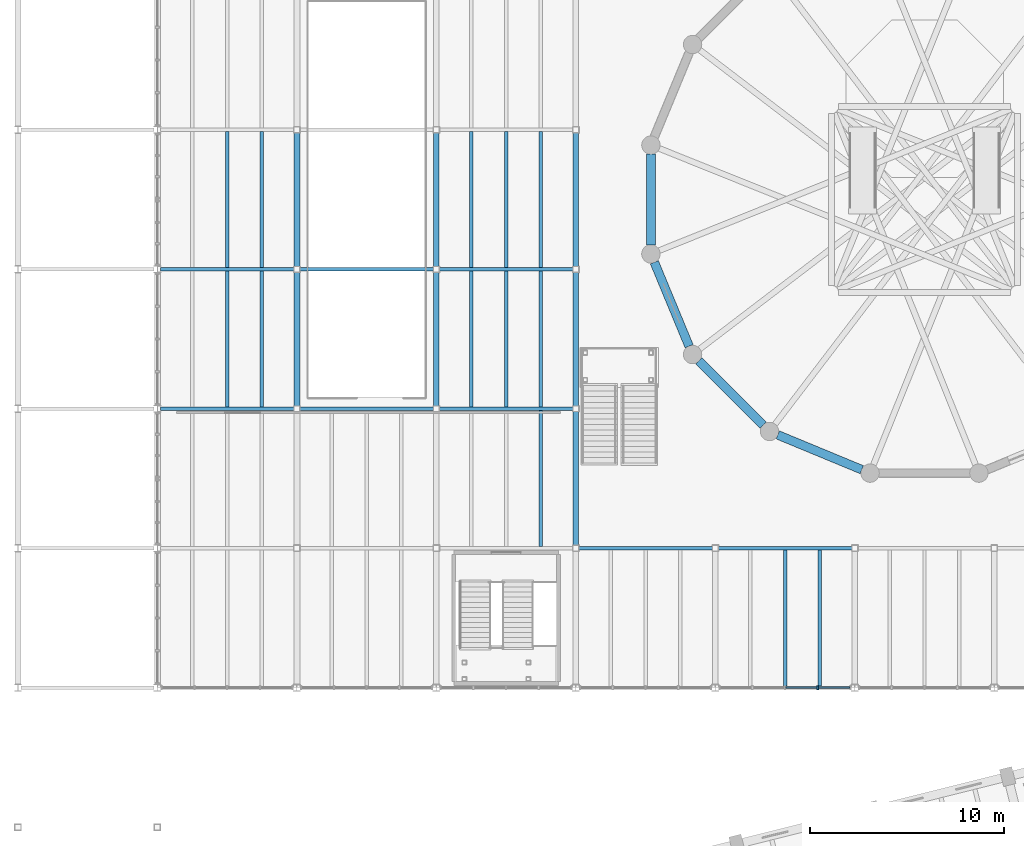
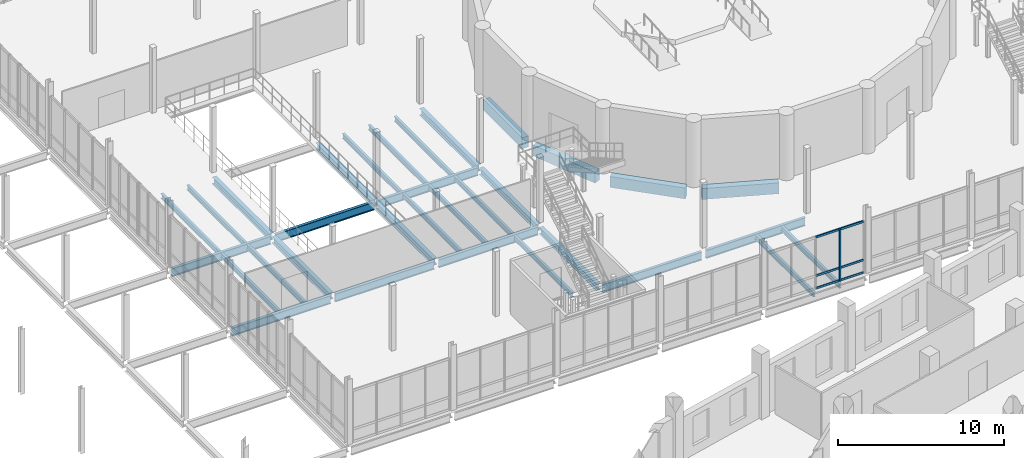
# One storey, part 23 of 77: 32 beams, 7 members, 1 element without a shape of its own.
"""IFC4 building model written with IfcOpenShell, lengths in metres."""

from ifc_helpers import new_model, si_unit, direction, frame, origin, origin_2d, place, context, subcontext, project, spatial, rectangle, i_section, extrude, material, material_profile, profile_set, type_object, element, aggregate, save


model = new_model("IFC4")

# Units and contexts
model_context = context("Model", 3, precision=1e-05, world=origin(), true_north=direction((0.0, 1.0)))
body_context = subcontext(model_context, "Body", "Model", "MODEL_VIEW")
ifc_project = project(units=[si_unit("LENGTHUNIT", "METRE"), si_unit("AREAUNIT", "SQUARE_METRE"), si_unit("VOLUMEUNIT", "CUBIC_METRE"), si_unit("PLANEANGLEUNIT", "RADIAN"), si_unit("MASSUNIT", "GRAM", prefix="KILO")], contexts=[model_context])

# Site, building, storey
site_placement = place(None, origin())
site = spatial("IfcSite", under=ifc_project, at=site_placement, CompositionType="ELEMENT")
building_placement = place(site_placement, origin())
building = spatial("IfcBuilding", under=site, at=building_placement, Name="Qiaolan Assembly House", CompositionType="ELEMENT")
storey_placement = place(building_placement, frame((0.0, 0.0, 5.39990234375)))
storey = spatial("IfcBuildingStorey", under=building, at=storey_placement, Name="L01", CompositionType="ELEMENT", Elevation=5.39990234375)

# Beams
ifc_material_1 = material(Name="Concrete C40/50", Category="concrete")
ifc_material_profile_1 = material_profile(ifc_material_1, rectangle(XDim=0.449951171875, YDim=0.800048828125, at=origin_2d()), Name="RCB 450x800")
ifc_profile_set_1 = profile_set([ifc_material_profile_1], Name="Concrete C40/50")
beam_type_1 = type_object("IfcBeamType", Name="BM-RC-450x800", PredefinedType="BEAM", material=ifc_profile_set_1)
beam_1_placement = place(storey_placement, frame((54.276611328125, 63.544189453125, -0.68994140625), z_axis=(0.0, -1.0, 0.0), x_axis=(1.0, 0.0, 0.0)))
element("IfcBeam", 1, at=beam_1_placement, inside=storey, type_object=beam_type_1, Name="GB-03 beam BM-DRUM-L01-07", PredefinedType="BEAM", context=body_context, shape_type="SweptSolid", body=[
    extrude(rectangle(XDim=0.449951171875, YDim=0.800048828125, at=origin_2d()), origin(), (0.0, 0.0, 1.0), 4.6884765625),
])
for number, where, z_axis, x_axis, name in (
    (2, (54.45458984375, 57.961181640625, -0.68994140625), (0.382666043782, -0.923886734906, 0.0), (0.923886734906, 0.382666043782, 0.0), "GB-03 beam BM-DRUM-L01-08"),
    (3, (56.755615234375, 52.87109375, -0.68994140625), (0.707106781187, -0.707106781187, 0.0), (0.707106781187, 0.707106781187, 0.0), "GB-03 beam BM-DRUM-L01-09"),
    (4, (60.829345703125, 49.048828125, -0.68994140625), (0.923886734906, -0.382666043782, 0.0), (0.382666043782, 0.923886734906, 0.0), "GB-03 beam BM-DRUM-L01-10"),
):
    element("IfcBeam", number, at=place(storey_placement, frame(where, z_axis=z_axis, x_axis=x_axis)), inside=storey, type_object=beam_type_1, Name=name, PredefinedType="BEAM", context=body_context, shape_type="SweptSolid", body=[
        extrude(rectangle(XDim=0.449951171875, YDim=0.800048828125, at=origin_2d()), origin(), (0.0, 0.0, 1.0), 4.688720703125),
    ])
ifc_material_2 = material(Name="Steel Q355B", Category="steel")
ifc_material_profile_2 = material_profile(ifc_material_2, i_section(OverallWidth=0.300048828125, OverallDepth=0.488037109375, WebThickness=0.010986328125, FlangeThickness=0.01806640625, FilletRadius=0.02001953125, at=origin_2d()), Name="HM 488x300x11x18")
ifc_profile_set_2 = profile_set([ifc_material_profile_2], Name="Steel Q355B")
beam_type_2 = type_object("IfcBeamType", Name="BM-STL-HM488", PredefinedType="BEAM", material=ifc_profile_set_2)
for number, where, z_axis, x_axis, name in (
    (5, (36.0, 50.550048828125, -0.5439453125), (0.0, 1.0, 0.0), (-1.0, 0.0, 0.0), "SB-04 beam BMY-HL-L01-02-02"),
    (6, (36.0, 57.75, -0.5439453125), (0.0, 1.0, 0.0), (-1.0, 0.0, 0.0), "SB-04 beam BMY-HL-L01-02-03"),
    (7, (43.199951171875, 50.550048828125, -0.5439453125), (0.0, 1.0, 0.0), (-1.0, 0.0, 0.0), "SB-04 beam BMY-HL-L01-03-02"),
    (8, (43.199951171875, 57.75, -0.5439453125), (0.0, 1.0, 0.0), (-1.0, 0.0, 0.0), "SB-04 beam BMY-HL-L01-03-03"),
    (9, (50.39990234375, 43.35009765625, -0.5439453125), (0.0, 1.0, 0.0), (-1.0, 0.0, 0.0), "SB-04 beam BMY-HL-L01-04-01"),
    (10, (50.39990234375, 50.550048828125, -0.5439453125), (0.0, 1.0, 0.0), (-1.0, 0.0, 0.0), "SB-04 beam BMY-HL-L01-04-02"),
    (11, (50.39990234375, 57.75, -0.5439453125), (0.0, 1.0, 0.0), (-1.0, 0.0, 0.0), "SB-04 beam BMY-HL-L01-04-03"),
):
    element("IfcBeam", number, at=place(storey_placement, frame(where, z_axis=z_axis, x_axis=x_axis)), inside=storey, type_object=beam_type_2, Name=name, PredefinedType="BEAM", context=body_context, shape_type="SweptSolid", body=[
        extrude(i_section(OverallWidth=0.300048828125, OverallDepth=0.488037109375, WebThickness=0.010986328125, FlangeThickness=0.01806640625, FilletRadius=0.02001953125, at=origin_2d()), origin(), (0.0, 0.0, 1.0), 6.89990234375),
    ])
ifc_material_profile_3 = material_profile(ifc_material_2, i_section(OverallWidth=0.199951171875, OverallDepth=0.60009765625, WebThickness=0.010986328125, FlangeThickness=0.01708984375, FilletRadius=0.02001953125, at=origin_2d()), Name="HN 600x200x11x17")
ifc_profile_set_3 = profile_set([ifc_material_profile_3], Name="Steel Q355B")
beam_type_3 = type_object("IfcBeamType", Name="BM-STL-HN600", PredefinedType="BEAM", material=ifc_profile_set_3)
for number, where, z_axis, x_axis, name in (
    (12, (50.550048828125, 43.199951171875, -0.599853515625), (1.0, 0.0, 0.0), (0.0, 1.0, 0.0), "SB-03 beam BMX-HL-L01-04-01"),
    (13, (57.75, 43.199951171875, -0.599853515625), (1.0, 0.0, 0.0), (0.0, 1.0, 0.0), "SB-03 beam BMX-HL-L01-05-01"),
):
    element("IfcBeam", number, at=place(storey_placement, frame(where, z_axis=z_axis, x_axis=x_axis)), inside=storey, type_object=beam_type_3, Name=name, PredefinedType="BEAM", context=body_context, shape_type="SweptSolid", body=[
        extrude(i_section(OverallWidth=0.199951171875, OverallDepth=0.60009765625, WebThickness=0.010986328125, FlangeThickness=0.01708984375, FilletRadius=0.02001953125, at=origin_2d()), origin(), (0.0, 0.0, 1.0), 6.89990234375),
    ])
beam_2_placement = place(storey_placement, frame((28.965087890625, 50.39990234375, -0.599853515625), z_axis=(1.0, 0.0, 0.0), x_axis=(0.0, 1.0, 0.0)))
element("IfcBeam", 14, at=beam_2_placement, inside=storey, type_object=beam_type_3, Name="SB-03 beam BMX-HL-L01-01-02", PredefinedType="BEAM", context=body_context, shape_type="SweptSolid", body=[
    extrude(i_section(OverallWidth=0.199951171875, OverallDepth=0.60009765625, WebThickness=0.010986328125, FlangeThickness=0.01708984375, FilletRadius=0.02001953125, at=origin_2d()), origin(), (0.0, 0.0, 1.0), 6.885009765625),
])
beam_3_placement = place(storey_placement, frame((36.14990234375, 50.39990234375, -0.599853515625), z_axis=(1.0, 0.0, 0.0), x_axis=(0.0, 1.0, 0.0)))
element("IfcBeam", 15, at=beam_3_placement, inside=storey, type_object=beam_type_3, Name="SB-03 beam BMX-HL-L01-02-02", PredefinedType="BEAM", context=body_context, shape_type="SweptSolid", body=[
    extrude(i_section(OverallWidth=0.199951171875, OverallDepth=0.60009765625, WebThickness=0.010986328125, FlangeThickness=0.01708984375, FilletRadius=0.02001953125, at=origin_2d()), origin(), (0.0, 0.0, 1.0), 6.900146484375),
])
beam_4_placement = place(storey_placement, frame((43.35009765625, 50.39990234375, -0.599853515625), z_axis=(1.0, 0.0, 0.0), x_axis=(0.0, 1.0, 0.0)))
element("IfcBeam", 16, at=beam_4_placement, inside=storey, type_object=beam_type_3, Name="SB-03 beam BMX-HL-L01-03-02", PredefinedType="BEAM", context=body_context, shape_type="SweptSolid", body=[
    extrude(i_section(OverallWidth=0.199951171875, OverallDepth=0.60009765625, WebThickness=0.010986328125, FlangeThickness=0.01708984375, FilletRadius=0.02001953125, at=origin_2d()), origin(), (0.0, 0.0, 1.0), 6.89990234375),
])
beam_5_placement = place(storey_placement, frame((28.965087890625, 57.60009765625, -0.599853515625), z_axis=(1.0, 0.0, 0.0), x_axis=(0.0, 1.0, 0.0)))
element("IfcBeam", 17, at=beam_5_placement, inside=storey, type_object=beam_type_3, Name="SB-03 beam BMX-HL-L01-01-03", PredefinedType="BEAM", context=body_context, shape_type="SweptSolid", body=[
    extrude(i_section(OverallWidth=0.199951171875, OverallDepth=0.60009765625, WebThickness=0.010986328125, FlangeThickness=0.01708984375, FilletRadius=0.02001953125, at=origin_2d()), origin(), (0.0, 0.0, 1.0), 6.885009765625),
])
beam_6_placement = place(storey_placement, frame((36.14990234375, 57.60009765625, -0.599853515625), z_axis=(1.0, 0.0, 0.0), x_axis=(0.0, 1.0, 0.0)))
element("IfcBeam", 18, at=beam_6_placement, inside=storey, type_object=beam_type_3, Name="SB-03 beam BMX-HL-L01-02-03", PredefinedType="BEAM", context=body_context, shape_type="SweptSolid", body=[
    extrude(i_section(OverallWidth=0.199951171875, OverallDepth=0.60009765625, WebThickness=0.010986328125, FlangeThickness=0.01708984375, FilletRadius=0.02001953125, at=origin_2d()), origin(), (0.0, 0.0, 1.0), 6.900146484375),
])
beam_7_placement = place(storey_placement, frame((43.35009765625, 57.60009765625, -0.599853515625), z_axis=(1.0, 0.0, 0.0), x_axis=(0.0, 1.0, 0.0)))
element("IfcBeam", 19, at=beam_7_placement, inside=storey, type_object=beam_type_3, Name="SB-03 beam BMX-HL-L01-03-03", PredefinedType="BEAM", context=body_context, shape_type="SweptSolid", body=[
    extrude(i_section(OverallWidth=0.199951171875, OverallDepth=0.60009765625, WebThickness=0.010986328125, FlangeThickness=0.01708984375, FilletRadius=0.02001953125, at=origin_2d()), origin(), (0.0, 0.0, 1.0), 6.89990234375),
])

# Curtain wall, members
ifc_material_3 = material(Name="Anodised bronze aluminium", Category="aluminium")
curtain_wall_type = type_object("IfcCurtainWallType", Name="CW-HALL-UPPER-480", PredefinedType="NOTDEFINED", material=ifc_material_3)
curtain_wall_placement = place(storey_placement, origin())
curtain_wall = element("IfcCurtainWall", 20, at=curtain_wall_placement, inside=storey, type_object=curtain_wall_type, Name="CW-01 Hall South plaza curtain wall L01-5", PredefinedType="NOTDEFINED")
ifc_material_profile_4 = material_profile(ifc_material_3, rectangle(XDim=0.0859375, YDim=0.199951171875, at=origin_2d()), Name="MUL 86x200")
ifc_profile_set_4 = profile_set([ifc_material_profile_4], Name="Anodised bronze aluminium")
member_type_1 = type_object("IfcMemberType", Name="CW-HALL-UPPER-480-MUL", PredefinedType="MULLION", material=ifc_profile_set_4)
member_1_placement = place(storey_placement, frame((62.889892578125, 36.0, 0.0), z_axis=(0.0, 0.0, 1.0), x_axis=(1.0, 0.0, 0.0)))
member_1 = element("IfcMember", 21, at=member_1_placement, type_object=member_type_1, Name="ML-02 mullion CW-HALL-S-L01-04-4", PredefinedType="MULLION", context=body_context, shape_type="SweptSolid", body=[
    extrude(rectangle(XDim=0.0859375, YDim=0.199951171875, at=origin_2d()), origin(), (0.0, 0.0, 1.0), 3.800048828125),
])
ifc_material_profile_5 = material_profile(ifc_material_3, rectangle(XDim=0.075927734375, YDim=0.14990234375, at=origin_2d()), Name="TRN 76x150")
ifc_profile_set_5 = profile_set([ifc_material_profile_5], Name="Anodised bronze aluminium")
member_type_2 = type_object("IfcMemberType", Name="CW-HALL-UPPER-480-TRN", PredefinedType="USERDEFINED", material=ifc_profile_set_5)
member_2_placement = place(storey_placement, frame((61.242919921875, 36.0, 0.030029296875), z_axis=(1.0, 0.0, 0.0), x_axis=(0.0, 1.0, 0.0)))
member_2 = element("IfcMember", 22, at=member_2_placement, type_object=member_type_2, Name="TR-02 transom CW-HALL-S-L01-04-3-1", ObjectType="TRANSOM", PredefinedType="USERDEFINED", context=body_context, shape_type="SweptSolid", body=[
    extrude(rectangle(XDim=0.075927734375, YDim=0.14990234375, at=origin_2d()), origin(), (0.0, 0.0, 1.0), 1.60400390625),
])
member_3_placement = place(storey_placement, frame((61.242919921875, 36.0, 0.9501953125), z_axis=(1.0, 0.0, 0.0), x_axis=(0.0, 1.0, 0.0)))
member_3 = element("IfcMember", 23, at=member_3_placement, type_object=member_type_2, Name="TR-02 transom CW-HALL-S-L01-04-3-2", ObjectType="TRANSOM", PredefinedType="USERDEFINED", context=body_context, shape_type="SweptSolid", body=[
    extrude(rectangle(XDim=0.075927734375, YDim=0.14990234375, at=origin_2d()), origin(), (0.0, 0.0, 1.0), 1.60400390625),
])
member_4_placement = place(storey_placement, frame((61.242919921875, 36.0, 3.77001953125), z_axis=(1.0, 0.0, 0.0), x_axis=(0.0, 1.0, 0.0)))
member_4 = element("IfcMember", 24, at=member_4_placement, type_object=member_type_2, Name="TR-02 transom CW-HALL-S-L01-04-3-3", ObjectType="TRANSOM", PredefinedType="USERDEFINED", context=body_context, shape_type="SweptSolid", body=[
    extrude(rectangle(XDim=0.075927734375, YDim=0.14990234375, at=origin_2d()), origin(), (0.0, 0.0, 1.0), 1.60400390625),
])
member_5_placement = place(storey_placement, frame((62.93310546875, 36.0, 0.030029296875), z_axis=(1.0, 0.0, 0.0), x_axis=(0.0, 1.0, 0.0)))
member_5 = element("IfcMember", 25, at=member_5_placement, type_object=member_type_2, Name="TR-02 transom CW-HALL-S-L01-04-4-1", ObjectType="TRANSOM", PredefinedType="USERDEFINED", context=body_context, shape_type="SweptSolid", body=[
    extrude(rectangle(XDim=0.075927734375, YDim=0.14990234375, at=origin_2d()), origin(), (0.0, 0.0, 1.0), 1.60400390625),
])
member_6_placement = place(storey_placement, frame((62.93310546875, 36.0, 0.9501953125), z_axis=(1.0, 0.0, 0.0), x_axis=(0.0, 1.0, 0.0)))
member_6 = element("IfcMember", 26, at=member_6_placement, type_object=member_type_2, Name="TR-02 transom CW-HALL-S-L01-04-4-2", ObjectType="TRANSOM", PredefinedType="USERDEFINED", context=body_context, shape_type="SweptSolid", body=[
    extrude(rectangle(XDim=0.075927734375, YDim=0.14990234375, at=origin_2d()), origin(), (0.0, 0.0, 1.0), 1.60400390625),
])
member_7_placement = place(storey_placement, frame((62.93310546875, 36.0, 3.77001953125), z_axis=(1.0, 0.0, 0.0), x_axis=(0.0, 1.0, 0.0)))
member_7 = element("IfcMember", 27, at=member_7_placement, type_object=member_type_2, Name="TR-02 transom CW-HALL-S-L01-04-4-3", ObjectType="TRANSOM", PredefinedType="USERDEFINED", context=body_context, shape_type="SweptSolid", body=[
    extrude(rectangle(XDim=0.075927734375, YDim=0.14990234375, at=origin_2d()), origin(), (0.0, 0.0, 1.0), 1.60400390625),
])
aggregate(curtain_wall, [member_1, member_2, member_3, member_4, member_5, member_6, member_7])

# Beams
ifc_material_profile_6 = material_profile(ifc_material_2, i_section(OverallWidth=0.179931640625, OverallDepth=0.360107421875, WebThickness=0.008056640625, FlangeThickness=0.011962890625, FilletRadius=0.013916015625, at=origin_2d()), Name="HN 360x180x8x12")
ifc_profile_set_6 = profile_set([ifc_material_profile_6], Name="Steel Q355B")
beam_type_4 = type_object("IfcBeamType", Name="JST-STL-HN360", PredefinedType="JOIST", material=ifc_profile_set_6)
for number, where, z_axis, x_axis, name in (
    (28, (32.39990234375, 50.493896484375, -0.47998046875), (0.0, 1.0, 0.0), (-1.0, 0.0, 0.0), "SJ-06 beam JST-HL-L01-01-02-2"),
    (29, (34.199951171875, 50.493896484375, -0.47998046875), (0.0, 1.0, 0.0), (-1.0, 0.0, 0.0), "SJ-06 beam JST-HL-L01-01-02-3"),
):
    element("IfcBeam", number, at=place(storey_placement, frame(where, z_axis=z_axis, x_axis=x_axis)), inside=storey, type_object=beam_type_4, Name=name, PredefinedType="JOIST", context=body_context, shape_type="SweptSolid", body=[
        extrude(i_section(OverallWidth=0.179931640625, OverallDepth=0.360107421875, WebThickness=0.008056640625, FlangeThickness=0.011962890625, FilletRadius=0.013916015625, at=origin_2d()), origin(), (0.0, 0.0, 1.0), 7.01220703125),
    ])
for number, where, z_axis, x_axis, name in (
    (30, (32.39990234375, 57.694091796875, -0.47998046875), (0.0, 1.0, 0.0), (-1.0, 0.0, 0.0), "SJ-06 beam JST-HL-L01-01-03-2"),
    (31, (34.199951171875, 57.694091796875, -0.47998046875), (0.0, 1.0, 0.0), (-1.0, 0.0, 0.0), "SJ-06 beam JST-HL-L01-01-03-3"),
    (32, (48.60009765625, 43.2939453125, -0.47998046875), (0.0, 1.0, 0.0), (-1.0, 0.0, 0.0), "SJ-06 beam JST-HL-L01-03-01-3"),
):
    element("IfcBeam", number, at=place(storey_placement, frame(where, z_axis=z_axis, x_axis=x_axis)), inside=storey, type_object=beam_type_4, Name=name, PredefinedType="JOIST", context=body_context, shape_type="SweptSolid", body=[
        extrude(i_section(OverallWidth=0.179931640625, OverallDepth=0.360107421875, WebThickness=0.008056640625, FlangeThickness=0.011962890625, FilletRadius=0.013916015625, at=origin_2d()), origin(), (0.0, 0.0, 1.0), 7.011962890625),
    ])
for number, where, z_axis, x_axis, name in (
    (33, (45.0, 50.493896484375, -0.47998046875), (0.0, 1.0, 0.0), (-1.0, 0.0, 0.0), "SJ-06 beam JST-HL-L01-03-02-1"),
    (34, (46.800048828125, 50.493896484375, -0.47998046875), (0.0, 1.0, 0.0), (-1.0, 0.0, 0.0), "SJ-06 beam JST-HL-L01-03-02-2"),
    (35, (48.60009765625, 50.493896484375, -0.47998046875), (0.0, 1.0, 0.0), (-1.0, 0.0, 0.0), "SJ-06 beam JST-HL-L01-03-02-3"),
):
    element("IfcBeam", number, at=place(storey_placement, frame(where, z_axis=z_axis, x_axis=x_axis)), inside=storey, type_object=beam_type_4, Name=name, PredefinedType="JOIST", context=body_context, shape_type="SweptSolid", body=[
        extrude(i_section(OverallWidth=0.179931640625, OverallDepth=0.360107421875, WebThickness=0.008056640625, FlangeThickness=0.011962890625, FilletRadius=0.013916015625, at=origin_2d()), origin(), (0.0, 0.0, 1.0), 7.01220703125),
    ])
for number, where, z_axis, x_axis, name in (
    (36, (45.0, 57.694091796875, -0.47998046875), (0.0, 1.0, 0.0), (-1.0, 0.0, 0.0), "SJ-06 beam JST-HL-L01-03-03-1"),
    (37, (46.800048828125, 57.694091796875, -0.47998046875), (0.0, 1.0, 0.0), (-1.0, 0.0, 0.0), "SJ-06 beam JST-HL-L01-03-03-2"),
    (38, (48.60009765625, 57.694091796875, -0.47998046875), (0.0, 1.0, 0.0), (-1.0, 0.0, 0.0), "SJ-06 beam JST-HL-L01-03-03-3"),
    (39, (61.199951171875, 36.093994140625, -0.47998046875), (0.0, 1.0, 0.0), (-1.0, 0.0, 0.0), "SJ-06 beam JST-HL-L01-05-00-2"),
    (40, (63.0, 36.093994140625, -0.47998046875), (0.0, 1.0, 0.0), (-1.0, 0.0, 0.0), "SJ-06 beam JST-HL-L01-05-00-3"),
):
    element("IfcBeam", number, at=place(storey_placement, frame(where, z_axis=z_axis, x_axis=x_axis)), inside=storey, type_object=beam_type_4, Name=name, PredefinedType="JOIST", context=body_context, shape_type="SweptSolid", body=[
        extrude(i_section(OverallWidth=0.179931640625, OverallDepth=0.360107421875, WebThickness=0.008056640625, FlangeThickness=0.011962890625, FilletRadius=0.013916015625, at=origin_2d()), origin(), (0.0, 0.0, 1.0), 7.011962890625),
    ])

save(model, "model.ifc")
